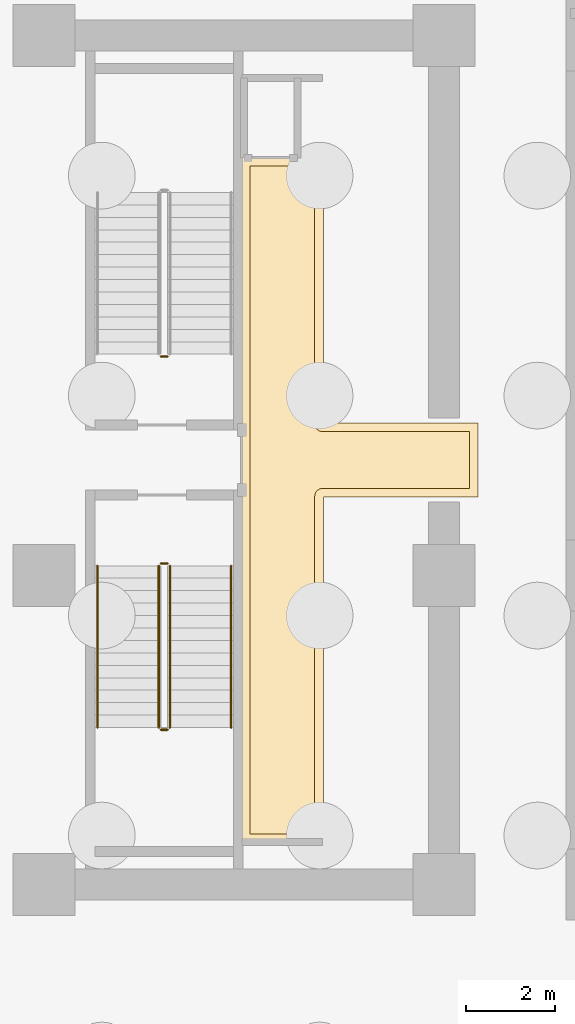
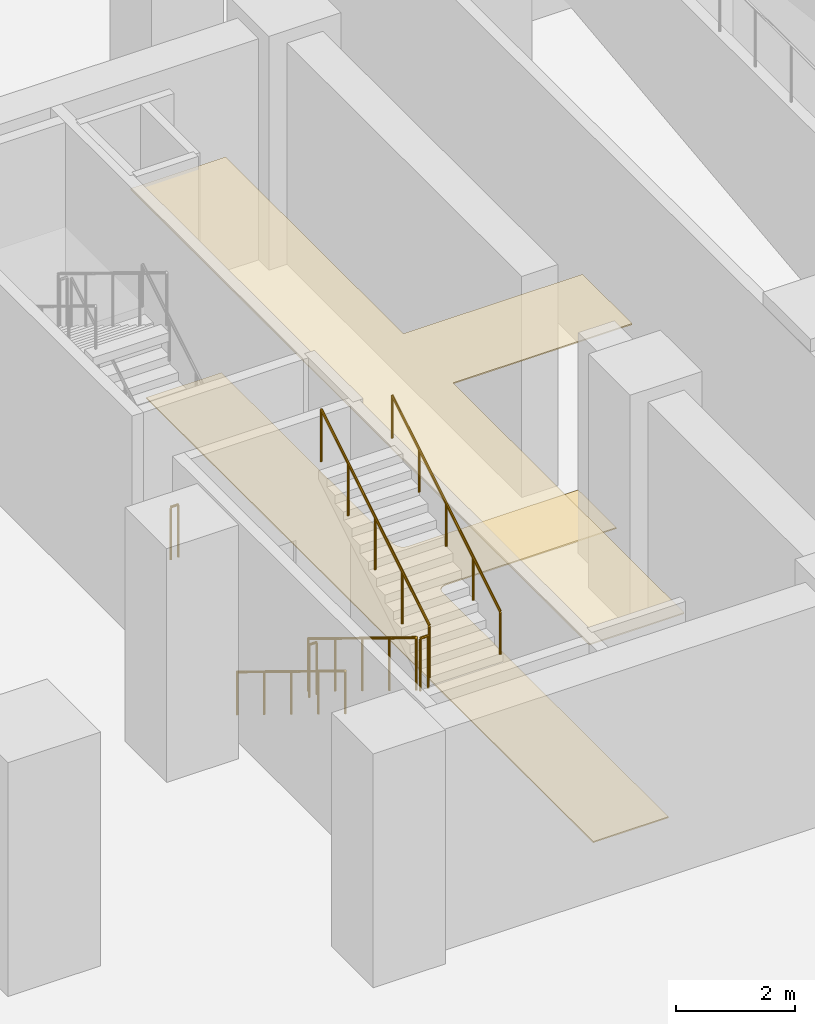
# One storey, part 7 of 10: 7 railings, 2 coverings.
"""IFC4 building model written with IfcOpenShell, lengths in metres."""

import ifcopenshell
import ifcopenshell.guid

model = None  # the IFC model being written
_history = None  # IfcOwnerHistory: only IFC2X3 demands one
_inside = {}  # id of a spatial element -> (the spatial element, [elements in it])
_under = {}  # id of a project, library or spatial element -> (it, [spatial elements below it])
_declared = {}  # id of a project -> (the project, [libraries it declares])
_typed = {}  # id of a type object -> (the type object, [elements of that type])
_made_of = {}  # id of a material, layer set ... -> (it, [elements and type objects made of it])


def new_model(schema):
    """Start an empty IFC model of exactly this schema.

    Asked for "IFC4X3", IfcOpenShell would pick the latest addendum, in which some entities
    have other attributes; the version numbers below select the first issue.
    IFC2X3 requires an IfcOwnerHistory on every rooted entity: one is made here for all.
    """
    global model, _history
    if schema == "IFC4X3":
        model = ifcopenshell.file(schema_version=(4, 3, 0, 0))
    else:
        model = ifcopenshell.file(schema=schema)
    _inside.clear()
    _under.clear()
    _declared.clear()
    _typed.clear()
    _made_of.clear()
    _history = None
    if model.schema == "IFC2X3":
        org = make("IfcOrganization", Name="unknown")
        user = make(
            "IfcPersonAndOrganization",
            ThePerson=make("IfcPerson", FamilyName="unknown"),
            TheOrganization=org,
        )
        app = make(
            "IfcApplication",
            ApplicationDeveloper=org,
            Version="unknown",
            ApplicationFullName="unknown",
            ApplicationIdentifier="unknown",
        )
        _history = make(
            "IfcOwnerHistory",
            OwningUser=user,
            OwningApplication=app,
            ChangeAction="ADDED",
            CreationDate=0,
        )
    return model


def make(cls, **values):
    """One entity of the class cls with the attributes given. An attribute that is None is left unset."""
    return model.create_entity(
        cls, **{name: value for name, value in values.items() if value is not None}
    )


def rooted(cls, **values):
    """An entity with a GlobalId (a new one), such as an element, a storey or a relation."""
    return make(cls, GlobalId=ifcopenshell.guid.new(), OwnerHistory=_history, **values)


def si_unit(unit_type, name, prefix=None):
    """IfcSIUnit, for example si_unit("LENGTHUNIT", "METRE", prefix="MILLI")."""
    return make("IfcSIUnit", UnitType=unit_type, Prefix=prefix, Name=name)


def assignment(units):
    """IfcUnitAssignment: the units of a project."""
    return None if units is None else make("IfcUnitAssignment", Units=units)


def point(xyz):
    """IfcCartesianPoint."""
    return None if xyz is None else make("IfcCartesianPoint", Coordinates=xyz)


def direction(xyz):
    """IfcDirection."""
    return None if xyz is None else make("IfcDirection", DirectionRatios=xyz)


def frame(location, z_axis=None, x_axis=None):
    """IfcAxis2Placement3D, a coordinate frame: its origin and axes. An axis left out is left unset."""
    return make(
        "IfcAxis2Placement3D",
        Location=point(location),
        Axis=direction(z_axis),
        RefDirection=direction(x_axis),
    )


def frame_2d(location, x_axis=None):
    """IfcAxis2Placement2D, a coordinate frame in the plane: its origin and x axis."""
    return make(
        "IfcAxis2Placement2D", Location=point(location), RefDirection=direction(x_axis)
    )


def origin():
    """The frame at (0, 0, 0) with its axes left unset."""
    return frame((0.0, 0.0, 0.0))


def origin_2d():
    """The frame at (0, 0) in the plane with its x axis left unset."""
    return frame_2d((0.0, 0.0))


def place(relative_to, where):
    """IfcLocalPlacement: puts the frame where relative to a parent placement (None: the world)."""
    return make(
        "IfcLocalPlacement", PlacementRelTo=relative_to, RelativePlacement=where
    )


def context(
    kind, dimensions, precision=None, world=None, true_north=None, identifier=None
):
    """IfcGeometricRepresentationContext, for example the 3D "Model" context."""
    return make(
        "IfcGeometricRepresentationContext",
        ContextIdentifier=identifier,
        ContextType=kind,
        CoordinateSpaceDimension=dimensions,
        Precision=precision,
        WorldCoordinateSystem=world,
        TrueNorth=true_north,
    )


def subcontext(parent, identifier, kind, view, scale=None):
    """IfcGeometricRepresentationSubContext, for example "Body" below "Model"."""
    return make(
        "IfcGeometricRepresentationSubContext",
        ContextIdentifier=identifier,
        ContextType=kind,
        ParentContext=parent,
        TargetScale=scale,
        TargetView=view,
    )


def project(units=None, contexts=None):
    """IfcProject with its units and contexts."""
    return rooted(
        "IfcProject",
        Name="project",
        RepresentationContexts=contexts,
        UnitsInContext=assignment(units),
    )


def spatial(cls, under=None, at=None, **own):
    """A site, building, storey or space (cls), placed at a placement, below another one or the project."""
    s = rooted(cls, ObjectPlacement=at, **own)
    if under is not None:
        _under.setdefault(under.id(), (under, []))[1].append(s)
    return s


def polyline(points):
    """IfcPolyline through the points."""
    return make("IfcPolyline", Points=[point(p) for p in points])


def profile(cls, at=None, kind="AREA", **sizes):
    """A parametric profile (cls). Its sizes go by their IFC names, for example OverallWidth=200.0."""
    return make(cls, ProfileType=kind, Position=at, **sizes)


def circle(**sizes):
    """IfcCircleProfileDef."""
    return profile("IfcCircleProfileDef", **sizes)


def outline(outer, holes=None, kind="AREA"):
    """IfcArbitraryClosedProfileDef: a profile drawn as a closed curve; with holes, ...WithVoids."""
    if holes is None:
        return make("IfcArbitraryClosedProfileDef", ProfileType=kind, OuterCurve=outer)
    return make(
        "IfcArbitraryProfileDefWithVoids",
        ProfileType=kind,
        OuterCurve=outer,
        InnerCurves=holes,
    )


def extrude(swept, where, along, depth):
    """IfcExtrudedAreaSolid: the profile swept, set in the frame where, extruded along a direction by depth."""
    return make(
        "IfcExtrudedAreaSolid",
        SweptArea=swept,
        Position=where,
        ExtrudedDirection=direction(along),
        Depth=depth,
    )


def shape(context_of_items, identifier, shape_type, items):
    """IfcShapeRepresentation: the items that make up one representation, for example the "Body"."""
    return make(
        "IfcShapeRepresentation",
        ContextOfItems=context_of_items,
        RepresentationIdentifier=identifier,
        RepresentationType=shape_type,
        Items=items,
    )


def material(Name=None, Category=None):
    """IfcMaterial."""
    return make("IfcMaterial", Name=Name, Category=Category)


def layer(
    of_material, thickness, ventilated=None, Name=None, Category=None, Priority=None
):
    """IfcMaterialLayer: one layer of a wall or slab, of a material (None: an air gap)."""
    return make(
        "IfcMaterialLayer",
        Material=of_material,
        LayerThickness=thickness,
        IsVentilated=ventilated,
        Name=Name,
        Category=Category,
        Priority=Priority,
    )


def layer_set(layers, Name=None):
    """IfcMaterialLayerSet."""
    return make("IfcMaterialLayerSet", MaterialLayers=layers, LayerSetName=Name)


def made_of(thing, what):
    """Note that an element or type object is made of a material, layer set ...; save() writes the relation."""
    if what is not None:
        _made_of.setdefault(what.id(), (what, []))[1].append(thing)
    return thing


def type_object(cls, material=None, **own):
    """A type object (cls), such as IfcWallType, which elements share."""
    return made_of(rooted(cls, **own), material)


def element(
    cls,
    number,
    at=None,
    inside=None,
    cuts=None,
    type_object=None,
    material=None,
    context=None,
    identifier="Body",
    shape_type=None,
    held_by="IfcProductDefinitionShape",
    body=None,
    shapes=None,
    **own,
):
    """One element of the class cls, such as IfcWall. Its Tag is "e" and its number.

    at: its placement. inside: the storey or other place that contains it. cuts: it is an
    opening in that element (IfcRelVoidsElement). A single representation is given by context,
    identifier, shape_type and body (its items); several are given by shapes. held_by: the class
    of the entity that holds the representations. save() writes the other relations.
    """
    e = rooted(cls, Tag="e%d" % number, ObjectPlacement=at, **own)
    if body is not None:
        shapes = [shape(context, identifier, shape_type, body)]
    if shapes is not None:
        e.Representation = make(held_by, Representations=shapes)
    if inside is not None:
        _inside.setdefault(inside.id(), (inside, []))[1].append(e)
    if cuts is not None:
        rooted(
            "IfcRelVoidsElement", RelatingBuildingElement=cuts, RelatedOpeningElement=e
        )
    if type_object is not None:
        _typed.setdefault(type_object.id(), (type_object, []))[1].append(e)
    return made_of(e, material)


def aggregate(whole, parts):
    """IfcRelAggregates: a whole, such as a stair, and the parts it consists of."""
    return rooted("IfcRelAggregates", RelatingObject=whole, RelatedObjects=parts)


def save(model, path):
    """Write the relations noted so far, then the file.

    IfcRelAggregates (storeys below a building ...), IfcRelContainedInSpatialStructure (elements
    in a storey), IfcRelDefinesByType, IfcRelAssociatesMaterial and IfcRelDeclares: one each for
    every whole, place, type object, material and project.
    """
    for whole, parts in _under.values():
        aggregate(whole, parts)
    for where, things in _inside.values():
        rooted(
            "IfcRelContainedInSpatialStructure",
            RelatedElements=things,
            RelatingStructure=where,
        )
    for kind, things in _typed.values():
        rooted("IfcRelDefinesByType", RelatedObjects=things, RelatingType=kind)
    for what, things in _made_of.values():
        rooted("IfcRelAssociatesMaterial", RelatedObjects=things, RelatingMaterial=what)
    for by, libraries in _declared.values():
        rooted("IfcRelDeclares", RelatingContext=by, RelatedDefinitions=libraries)
    model.write(path)


model = new_model("IFC4")

# Units and contexts
model_context = context("Model", 3, precision=1e-05, world=origin(), true_north=direction((0.0, 1.0)))
body_context = subcontext(model_context, "Body", "Model", "MODEL_VIEW")
ifc_project = project(units=[si_unit("LENGTHUNIT", "METRE"), si_unit("AREAUNIT", "SQUARE_METRE"), si_unit("VOLUMEUNIT", "CUBIC_METRE"), si_unit("PLANEANGLEUNIT", "RADIAN"), si_unit("MASSUNIT", "GRAM", prefix="KILO")], contexts=[model_context])

# Site, building, storey
site_placement = place(None, origin())
site = spatial("IfcSite", under=ifc_project, at=site_placement, CompositionType="ELEMENT")
building_placement = place(site_placement, origin())
building = spatial("IfcBuilding", under=site, at=building_placement, Name="Valdorenza Pilgrim Sanctuary Tower", CompositionType="ELEMENT")
storey_placement = place(building_placement, frame((0.0, 0.0, -9.60009765625)))
storey = spatial("IfcBuildingStorey", under=building, at=storey_placement, Name="B02", CompositionType="ELEMENT", Elevation=-9.60009765625)

# Coverings
ifc_material_1 = material(Name="Micro-perforated acoustic mineral ceiling tile", Category="gypsum")
ifc_layer_1 = layer(ifc_material_1, 0.02490234375, Name="Micro-perforated acoustic mineral ceiling tile")
ifc_layer_set_1 = layer_set([ifc_layer_1], Name="Micro-perforated acoustic mineral ceiling tile")
covering_type_1 = type_object("IfcCoveringType", Name="COV-CLG-ACU", PredefinedType="CEILING", material=ifc_layer_set_1)
covering_1_placement = place(storey_placement, frame((0.0, 0.0, 4.239990234375)))
element("IfcCovering", 1, at=covering_1_placement, inside=storey, type_object=covering_type_1, Name="B02 Core B Passenger Lift Lobby Acoustic Ceiling", PredefinedType="CEILING", context=body_context, shape_type="SweptSolid", body=[
    extrude(outline(polyline([(20.287109375, -0.814697265625), (20.287109375, 0.814697265625), (20.28662109375, 0.815185546875), (20.2861328125, 0.81640625), (20.28564453125, 0.81787109375), (20.285400390625, 0.819091796875), (20.28515625, 0.820556640625), (20.284912109375, 0.822021484375), (20.284912109375, 6.800048828125), (20.28515625, 6.801513671875), (20.285400390625, 6.802978515625), (20.28564453125, 6.804443359375), (20.2861328125, 6.8056640625), (20.286865234375, 6.80712890625), (20.28759765625, 6.808349609375), (20.288330078125, 6.8095703125), (20.289306640625, 6.810546875), (20.29052734375, 6.8115234375), (20.291748046875, 6.8125), (20.29296875, 6.813232421875), (20.294189453125, 6.81396484375), (20.295654296875, 6.814453125), (20.297119140625, 6.814697265625), (20.298583984375, 6.81494140625), (20.300048828125, 6.81494140625), (20.347900390625, 6.81494140625), (20.349365234375, 6.81494140625), (20.350830078125, 6.814697265625), (20.352294921875, 6.814453125), (20.353515625, 6.81396484375), (20.35498046875, 6.813232421875), (20.35546875, 6.81298828125), (21.544677734375, 6.81298828125), (21.545166015625, 6.813232421875), (21.54638671875, 6.81396484375), (21.5478515625, 6.814453125), (21.54931640625, 6.814697265625), (21.550537109375, 6.81494140625), (21.552001953125, 6.81494140625), (22.1201171875, 6.81494140625), (22.12158203125, 6.81494140625), (22.122802734375, 6.814697265625), (22.12451171875, 6.814453125), (22.125732421875, 6.81396484375), (22.127197265625, 6.813232421875), (22.12841796875, 6.8125), (22.12939453125, 6.8115234375), (22.130615234375, 6.810546875), (22.131591796875, 6.8095703125), (22.132568359375, 6.808349609375), (22.13330078125, 6.80712890625), (22.1337890625, 6.8056640625), (22.134521484375, 6.804443359375), (22.134765625, 6.802978515625), (22.135009765625, 6.801513671875), (22.135009765625, 6.800048828125), (22.135009765625, 0.8349609375), (25.60009765625, 0.8349609375), (25.6015625, 0.8349609375), (25.602783203125, 0.834716796875), (25.6044921875, 0.83447265625), (25.605712890625, 0.833984375), (25.607177734375, 0.833251953125), (25.6083984375, 0.83251953125), (25.609619140625, 0.83154296875), (25.610595703125, 0.83056640625), (25.611572265625, 0.82958984375), (25.612548828125, 0.828369140625), (25.61328125, 0.8271484375), (25.614013671875, 0.82568359375), (25.614501953125, 0.824462890625), (25.61474609375, 0.822998046875), (25.614990234375, 0.821533203125), (25.614990234375, 0.820068359375), (25.614990234375, -0.820068359375), (25.614990234375, -0.821533203125), (25.61474609375, -0.822998046875), (25.614501953125, -0.824462890625), (25.614013671875, -0.82568359375), (25.61328125, -0.8271484375), (25.612548828125, -0.828369140625), (25.611572265625, -0.82958984375), (25.610595703125, -0.83056640625), (25.609619140625, -0.83154296875), (25.6083984375, -0.83251953125), (25.607177734375, -0.833251953125), (25.605712890625, -0.833984375), (25.6044921875, -0.83447265625), (25.602783203125, -0.834716796875), (25.6015625, -0.8349609375), (25.60009765625, -0.8349609375), (22.135009765625, -0.8349609375), (22.135009765625, -8.60009765625), (22.135009765625, -8.6015625), (22.134765625, -8.602783203125), (22.134521484375, -8.6044921875), (22.1337890625, -8.605712890625), (22.13330078125, -8.607177734375), (22.132568359375, -8.6083984375), (22.131591796875, -8.609619140625), (22.130615234375, -8.610595703125), (22.12939453125, -8.611572265625), (22.12841796875, -8.612548828125), (22.127197265625, -8.61328125), (22.125732421875, -8.614013671875), (22.12451171875, -8.614501953125), (22.122802734375, -8.61474609375), (22.12158203125, -8.614990234375), (22.1201171875, -8.614990234375), (20.300048828125, -8.614990234375), (20.298583984375, -8.614990234375), (20.297119140625, -8.61474609375), (20.295654296875, -8.614501953125), (20.294189453125, -8.614013671875), (20.29296875, -8.61328125), (20.291748046875, -8.612548828125), (20.29052734375, -8.611572265625), (20.289306640625, -8.610595703125), (20.288330078125, -8.609619140625), (20.28759765625, -8.6083984375), (20.286865234375, -8.607177734375), (20.2861328125, -8.605712890625), (20.28564453125, -8.6044921875), (20.285400390625, -8.602783203125), (20.28515625, -8.6015625), (20.284912109375, -8.60009765625), (20.284912109375, -0.822021484375), (20.28515625, -0.820556640625), (20.285400390625, -0.819091796875), (20.28564453125, -0.81787109375), (20.2861328125, -0.81640625), (20.28662109375, -0.815185546875), (20.287109375, -0.814697265625)])), origin(), (0.0, 0.0, 1.0), 0.025146484375),
])
ifc_material_2 = material(Name="Honed travertine stone flooring", Category="masonry")
ifc_layer_2 = layer(ifc_material_2, 0.030029296875, Name="Honed travertine stone flooring")
ifc_layer_set_2 = layer_set([ifc_layer_2], Name="Honed travertine stone flooring")
covering_type_2 = type_object("IfcCoveringType", Name="COV-FLR-TRV", PredefinedType="FLOORING", material=ifc_layer_set_2)
covering_2_placement = place(storey_placement, origin())
element("IfcCovering", 2, at=covering_2_placement, inside=storey, type_object=covering_type_2, Name="B02 Core B Passenger Lift Lobby Flooring", PredefinedType="FLOORING", context=body_context, shape_type="SweptSolid", body=[
    extrude(outline(polyline([(20.47998046875, 6.617919921875), (21.550048828125, 6.617919921875), (21.550537109375, 6.617919921875), (21.93994140625, 6.619384765625), (21.93994140625, 0.820068359375), (21.94091796875, 0.802490234375), (21.943603515625, 0.784912109375), (21.94775390625, 0.767578125), (21.95361328125, 0.751220703125), (21.961181640625, 0.735107421875), (21.97021484375, 0.719970703125), (21.98095703125, 0.705810546875), (21.99267578125, 0.692626953125), (22.005859375, 0.680908203125), (22.02001953125, 0.67041015625), (22.03515625, 0.661376953125), (22.051025390625, 0.65380859375), (22.067626953125, 0.647705078125), (22.0849609375, 0.6435546875), (22.102294921875, 0.640869140625), (22.1201171875, 0.639892578125), (25.419921875, 0.639892578125), (25.419921875, -0.639892578125), (22.1201171875, -0.639892578125), (22.102294921875, -0.640869140625), (22.0849609375, -0.6435546875), (22.067626953125, -0.647705078125), (22.051025390625, -0.65380859375), (22.03515625, -0.661376953125), (22.02001953125, -0.67041015625), (22.005859375, -0.680908203125), (21.99267578125, -0.692626953125), (21.98095703125, -0.705810546875), (21.97021484375, -0.719970703125), (21.961181640625, -0.735107421875), (21.95361328125, -0.751220703125), (21.94775390625, -0.767578125), (21.943603515625, -0.784912109375), (21.94091796875, -0.802490234375), (21.93994140625, -0.820068359375), (21.93994140625, -8.419921875), (20.47998046875, -8.419921875), (20.47998046875, -0.846923828125), (20.47998046875, -0.8466796875), (20.47998046875, -0.8466796875), (20.481689453125, -0.8291015625), (20.481689453125, -0.828857421875), (20.48193359375, -0.820068359375), (20.48193359375, 0.820068359375), (20.47998046875, 6.617919921875)])), origin(), (0.0, 0.0, 1.0), 0.025146484375),
])

# Railings
ifc_material_3 = material(Name="Stainless steel Grade 316", Category="steel")
railing_type_1 = type_object("IfcRailingType", Name="RLG-GRD-1120", PredefinedType="GUARDRAIL", material=ifc_material_3)
railing_1_placement = place(storey_placement, frame((18.6298828125, 2.330078125, 0.0)))
element("IfcRailing", 3, at=railing_1_placement, inside=storey, type_object=railing_type_1, Name="B02 ST-B1 stair guard 4", PredefinedType="GUARDRAIL", context=body_context, shape_type="SweptSolid", body=[
    extrude(circle(Radius=0.02392578125, at=origin_2d()), frame((0.0, 0.0, 1.076171875), z_axis=(-1.0, 0.0, 0.0), x_axis=(0.0, -1.0, 0.0)), (0.0, 0.0, 1.0), 0.14990234375),
    extrude(circle(Radius=0.02099609375, at=origin_2d()), origin(), (0.0, 0.0, 1.0), 1.052001953125),
    extrude(circle(Radius=0.02099609375, at=origin_2d()), frame((-0.14990234375, 0.0, 0.0)), (0.0, 0.0, 1.0), 1.052001953125),
])
railing_2_placement = place(storey_placement, frame((18.429931640625, -2.3798828125, 0.171630859375)))
element("IfcRailing", 4, at=railing_2_placement, inside=storey, type_object=railing_type_1, Name="B02 ST-B2 stair guard 1", PredefinedType="GUARDRAIL", context=body_context, shape_type="SweptSolid", body=[
    extrude(circle(Radius=0.02392578125, at=origin_2d()), frame((0.0, 0.0, 1.076171875), z_axis=(0.0, -0.852865859571, 0.52213008492), x_axis=(1.0, 0.0, 0.0)), (0.0, 0.0, 1.0), 4.26806640625),
    extrude(circle(Radius=0.02099609375, at=origin_2d()), origin(), (0.0, 0.0, 1.0), 1.052001953125),
    extrude(circle(Radius=0.02099609375, at=origin_2d()), frame((0.0, -0.91015625, 0.55712890625)), (0.0, 0.0, 1.0), 1.052001953125),
    extrude(circle(Radius=0.02099609375, at=origin_2d()), frame((0.0, -1.820068359375, 1.1142578125)), (0.0, 0.0, 1.0), 1.052001953125),
    extrude(circle(Radius=0.02099609375, at=origin_2d()), frame((0.0, -2.72998046875, 1.67138671875)), (0.0, 0.0, 1.0), 1.052001953125),
    extrude(circle(Radius=0.02099609375, at=origin_2d()), frame((0.0, -3.64013671875, 2.228515625)), (0.0, 0.0, 1.0), 1.052001953125),
])
railing_3_placement = place(storey_placement, frame((18.47998046875, -6.070068359375, 2.400146484375)))
element("IfcRailing", 5, at=railing_3_placement, inside=storey, type_object=railing_type_1, Name="B02 ST-B2 stair guard 2", PredefinedType="GUARDRAIL", context=body_context, shape_type="SweptSolid", body=[
    extrude(circle(Radius=0.02392578125, at=origin_2d()), frame((0.0, 0.0, 1.076171875), z_axis=(1.0, 0.0, 0.0), x_axis=(0.0, 1.0, 0.0)), (0.0, 0.0, 1.0), 0.14990234375),
    extrude(circle(Radius=0.02099609375, at=origin_2d()), origin(), (0.0, 0.0, 1.0), 1.052001953125),
    extrude(circle(Radius=0.02099609375, at=origin_2d()), frame((0.14990234375, 0.0, 0.0)), (0.0, 0.0, 1.0), 1.052001953125),
])
railing_4_placement = place(storey_placement, frame((18.679931640625, -6.02001953125, 2.571533203125)))
element("IfcRailing", 6, at=railing_4_placement, inside=storey, type_object=railing_type_1, Name="B02 ST-B2 stair guard 3", PredefinedType="GUARDRAIL", context=body_context, shape_type="SweptSolid", body=[
    extrude(circle(Radius=0.02392578125, at=origin_2d()), frame((0.0, 0.0, 1.076171875), z_axis=(0.0, 0.852865859571, 0.52213008492), x_axis=(-1.0, 0.0, 0.0)), (0.0, 0.0, 1.0), 4.26806640625),
    extrude(circle(Radius=0.02099609375, at=origin_2d()), origin(), (0.0, 0.0, 1.0), 1.052001953125),
    extrude(circle(Radius=0.02099609375, at=origin_2d()), frame((0.0, 0.91015625, 0.55712890625)), (0.0, 0.0, 1.0), 1.052001953125),
    extrude(circle(Radius=0.02099609375, at=origin_2d()), frame((0.0, 1.820068359375, 1.1142578125)), (0.0, 0.0, 1.0), 1.052001953125),
    extrude(circle(Radius=0.02099609375, at=origin_2d()), frame((0.0, 2.72998046875, 1.67138671875)), (0.0, 0.0, 1.0), 1.052001953125),
    extrude(circle(Radius=0.02099609375, at=origin_2d()), frame((0.0, 3.64013671875, 2.228515625)), (0.0, 0.0, 1.0), 1.052001953125),
])
railing_5_placement = place(storey_placement, frame((18.47998046875, -2.330078125, 0.0)))
element("IfcRailing", 7, at=railing_5_placement, inside=storey, type_object=railing_type_1, Name="B02 ST-B2 stair guard 4", PredefinedType="GUARDRAIL", context=body_context, shape_type="SweptSolid", body=[
    extrude(circle(Radius=0.02392578125, at=origin_2d()), frame((0.0, 0.0, 1.076171875), z_axis=(1.0, 0.0, 0.0), x_axis=(0.0, 1.0, 0.0)), (0.0, 0.0, 1.0), 0.14990234375),
    extrude(circle(Radius=0.02099609375, at=origin_2d()), origin(), (0.0, 0.0, 1.0), 1.052001953125),
    extrude(circle(Radius=0.02099609375, at=origin_2d()), frame((0.14990234375, 0.0, 0.0)), (0.0, 0.0, 1.0), 1.052001953125),
])
ifc_material_4 = material(Name="Brushed stainless steel Grade 316", Category="steel")
railing_type_2 = type_object("IfcRailingType", Name="RLG-HND-920", PredefinedType="HANDRAIL", material=ifc_material_4)
railing_6_placement = place(storey_placement, frame((17.050048828125, -2.3798828125, 0.171630859375)))
element("IfcRailing", 8, at=railing_6_placement, inside=storey, type_object=railing_type_2, Name="B02 ST-B2 stair handrail 1", PredefinedType="HANDRAIL", context=body_context, shape_type="SweptSolid", body=[
    extrude(circle(Radius=0.02392578125, at=origin_2d()), frame((0.0, 0.0, 0.8759765625), z_axis=(0.0, -0.852865859571, 0.52213008492), x_axis=(1.0, 0.0, 0.0)), (0.0, 0.0, 1.0), 4.26806640625),
    extrude(circle(Radius=0.02099609375, at=origin_2d()), origin(), (0.0, 0.0, 1.0), 0.851806640625),
    extrude(circle(Radius=0.02099609375, at=origin_2d()), frame((0.0, -0.91015625, 0.55712890625)), (0.0, 0.0, 1.0), 0.851806640625),
    extrude(circle(Radius=0.02099609375, at=origin_2d()), frame((0.0, -1.820068359375, 1.1142578125)), (0.0, 0.0, 1.0), 0.851806640625),
    extrude(circle(Radius=0.02099609375, at=origin_2d()), frame((0.0, -2.72998046875, 1.67138671875)), (0.0, 0.0, 1.0), 0.851806640625),
    extrude(circle(Radius=0.02099609375, at=origin_2d()), frame((0.0, -3.64013671875, 2.228515625)), (0.0, 0.0, 1.0), 0.851806640625),
])
railing_7_placement = place(storey_placement, frame((20.06005859375, -6.02001953125, 2.571533203125)))
element("IfcRailing", 9, at=railing_7_placement, inside=storey, type_object=railing_type_2, Name="B02 ST-B2 stair handrail 2", PredefinedType="HANDRAIL", context=body_context, shape_type="SweptSolid", body=[
    extrude(circle(Radius=0.02392578125, at=origin_2d()), frame((0.0, 0.0, 0.8759765625), z_axis=(0.0, 0.852865859571, 0.52213008492), x_axis=(-1.0, 0.0, 0.0)), (0.0, 0.0, 1.0), 4.26806640625),
    extrude(circle(Radius=0.02099609375, at=origin_2d()), origin(), (0.0, 0.0, 1.0), 0.851806640625),
    extrude(circle(Radius=0.02099609375, at=origin_2d()), frame((0.0, 0.91015625, 0.55712890625)), (0.0, 0.0, 1.0), 0.851806640625),
    extrude(circle(Radius=0.02099609375, at=origin_2d()), frame((0.0, 1.820068359375, 1.1142578125)), (0.0, 0.0, 1.0), 0.851806640625),
    extrude(circle(Radius=0.02099609375, at=origin_2d()), frame((0.0, 2.72998046875, 1.67138671875)), (0.0, 0.0, 1.0), 0.851806640625),
    extrude(circle(Radius=0.02099609375, at=origin_2d()), frame((0.0, 3.64013671875, 2.228515625)), (0.0, 0.0, 1.0), 0.851806640625),
])

save(model, "model.ifc")
